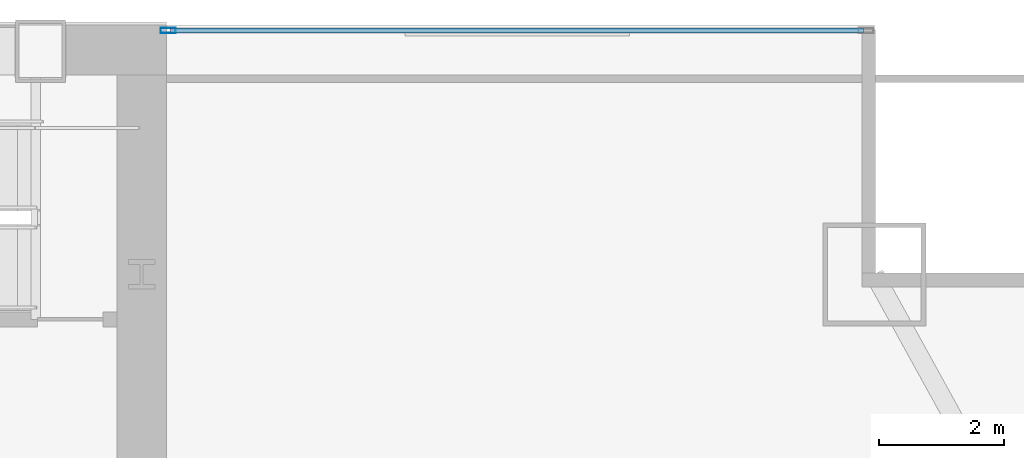
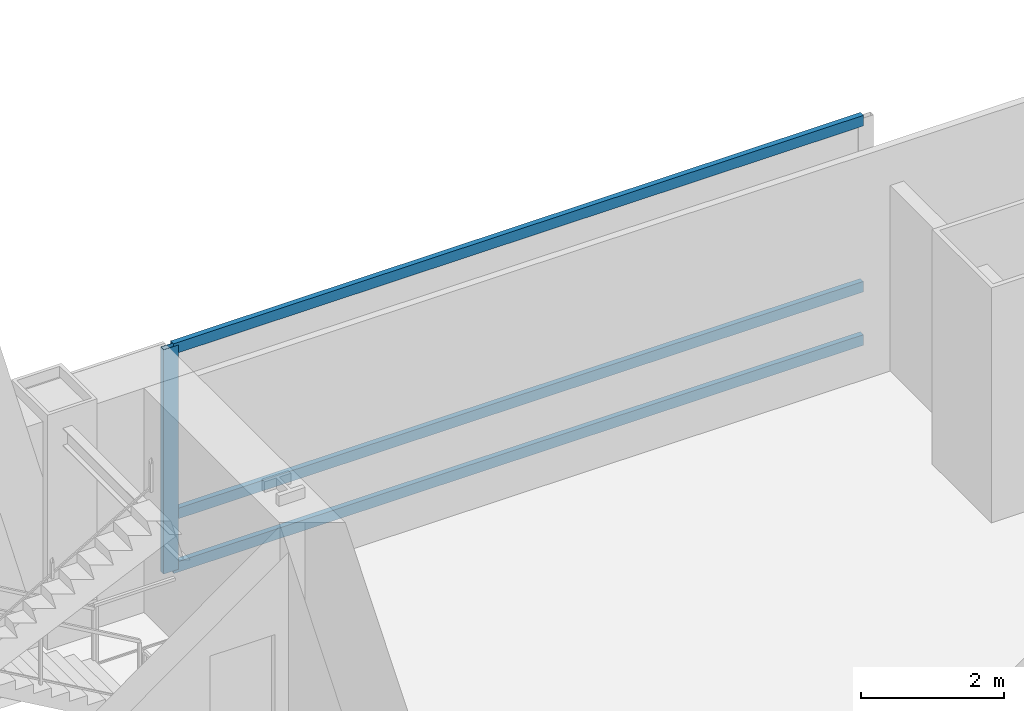
# One storey, part 20 of 35: 4 members, 1 element without a shape of its own.
"""IFC4 building model written with IfcOpenShell, lengths in metres."""

from ifc_helpers import new_model, si_unit, direction, frame, origin, origin_2d, place, context, subcontext, project, spatial, hollow_rectangle, extrude, material, material_profile, profile_set, type_object, element, aggregate, save


model = new_model("IFC4")

# Units and contexts
model_context = context("Model", 3, precision=1e-05, world=origin(), true_north=direction((0.0, 1.0)))
body_context = subcontext(model_context, "Body", "Model", "MODEL_VIEW")
ifc_project = project(units=[si_unit("LENGTHUNIT", "METRE"), si_unit("AREAUNIT", "SQUARE_METRE"), si_unit("VOLUMEUNIT", "CUBIC_METRE"), si_unit("PLANEANGLEUNIT", "RADIAN"), si_unit("MASSUNIT", "GRAM", prefix="KILO")], contexts=[model_context])

# Site, building, storey
site_placement = place(None, origin())
site = spatial("IfcSite", under=ifc_project, at=site_placement, CompositionType="ELEMENT")
building_placement = place(site_placement, origin())
building = spatial("IfcBuilding", under=site, at=building_placement, Name="Khoronbel Lancet Exchange", CompositionType="ELEMENT")
storey_placement = place(building_placement, frame((0.0, 0.0, 25.800048828125)))
storey = spatial("IfcBuildingStorey", under=building, at=storey_placement, Name="L05", CompositionType="ELEMENT", Elevation=25.800048828125)

# Curtain wall, members
ifc_material_1 = material(Name="Low-E Solar Control Insulating Glass", Category="glass")
curtain_wall_type = type_object("IfcCurtainWallType", Name="CW-1", PredefinedType="NOTDEFINED", material=ifc_material_1)
curtain_wall_placement = place(storey_placement, origin())
curtain_wall = element("IfcCurtainWall", 1, at=curtain_wall_placement, inside=storey, type_object=curtain_wall_type, Name="Unitised curtain wall CW-L05-NEFLK", PredefinedType="NOTDEFINED")
ifc_material_2 = material(Name="Bronze-Anodised Aluminium 6063-T6", Category="aluminium")
ifc_material_profile_1 = material_profile(ifc_material_2, hollow_rectangle(XDim=0.0849609375, YDim=0.239990234375, WallThickness=0.006103515625, at=origin_2d()), Name="ALU MULLION 85x240")
ifc_profile_set_1 = profile_set([ifc_material_profile_1], Name="Bronze-Anodised Aluminium 6063-T6")
member_type_1 = type_object("IfcMemberType", Name="MEM-CWM1", PredefinedType="MULLION", material=ifc_profile_set_1)
member_1_placement = place(storey_placement, frame((56.722412109375, 53.610107421875, 0.0), z_axis=(0.0, 0.0, 1.0), x_axis=(0.0, -1.0, 0.0)))
member_1 = element("IfcMember", 2, at=member_1_placement, type_object=member_type_1, Name="CW1 mullion 2", PredefinedType="MULLION", context=body_context, shape_type="SweptSolid", body=[
    extrude(hollow_rectangle(XDim=0.0849609375, YDim=0.239990234375, WallThickness=0.006103515625, at=origin_2d()), origin(), (0.0, 0.0, 1.0), 3.820068359375),
])
ifc_material_profile_2 = material_profile(ifc_material_2, hollow_rectangle(XDim=0.0849609375, YDim=0.179931640625, WallThickness=0.0048828125, at=origin_2d()), Name="ALU TRANSOM 85x180")
ifc_profile_set_2 = profile_set([ifc_material_profile_2], Name="Bronze-Anodised Aluminium 6063-T6")
member_type_2 = type_object("IfcMemberType", Name="MEM-CWT1", PredefinedType="USERDEFINED", material=ifc_profile_set_2)
member_2_placement = place(storey_placement, frame((67.875, 53.610107421875, 0.04248046875), z_axis=(-1.0, 0.0, 0.0), x_axis=(0.0, -1.0, 0.0)))
member_2 = element("IfcMember", 3, at=member_2_placement, type_object=member_type_2, Name="CW1 transom 1.1", ObjectType="TRANSOM", PredefinedType="USERDEFINED", context=body_context, shape_type="SweptSolid", body=[
    extrude(hollow_rectangle(XDim=0.0849609375, YDim=0.179931640625, WallThickness=0.0048828125, at=origin_2d()), origin(), (0.0, 0.0, 1.0), 11.110107421875),
])
member_3_placement = place(storey_placement, frame((67.875, 53.610107421875, 0.949951171875), z_axis=(-1.0, 0.0, 0.0), x_axis=(0.0, -1.0, 0.0)))
member_3 = element("IfcMember", 4, at=member_3_placement, type_object=member_type_2, Name="CW1 transom 1.2", ObjectType="TRANSOM", PredefinedType="USERDEFINED", context=body_context, shape_type="SweptSolid", body=[
    extrude(hollow_rectangle(XDim=0.0849609375, YDim=0.179931640625, WallThickness=0.0048828125, at=origin_2d()), origin(), (0.0, 0.0, 1.0), 11.110107421875),
])
member_4_placement = place(storey_placement, frame((67.875, 53.610107421875, 3.77734375), z_axis=(-1.0, 0.0, 0.0), x_axis=(0.0, -1.0, 0.0)))
member_4 = element("IfcMember", 5, at=member_4_placement, type_object=member_type_2, Name="CW1 transom 1.3", ObjectType="TRANSOM", PredefinedType="USERDEFINED", context=body_context, shape_type="SweptSolid", body=[
    extrude(hollow_rectangle(XDim=0.0849609375, YDim=0.179931640625, WallThickness=0.0048828125, at=origin_2d()), origin(), (0.0, 0.0, 1.0), 11.110107421875),
])
aggregate(curtain_wall, [member_1, member_2, member_3, member_4])

save(model, "model.ifc")
